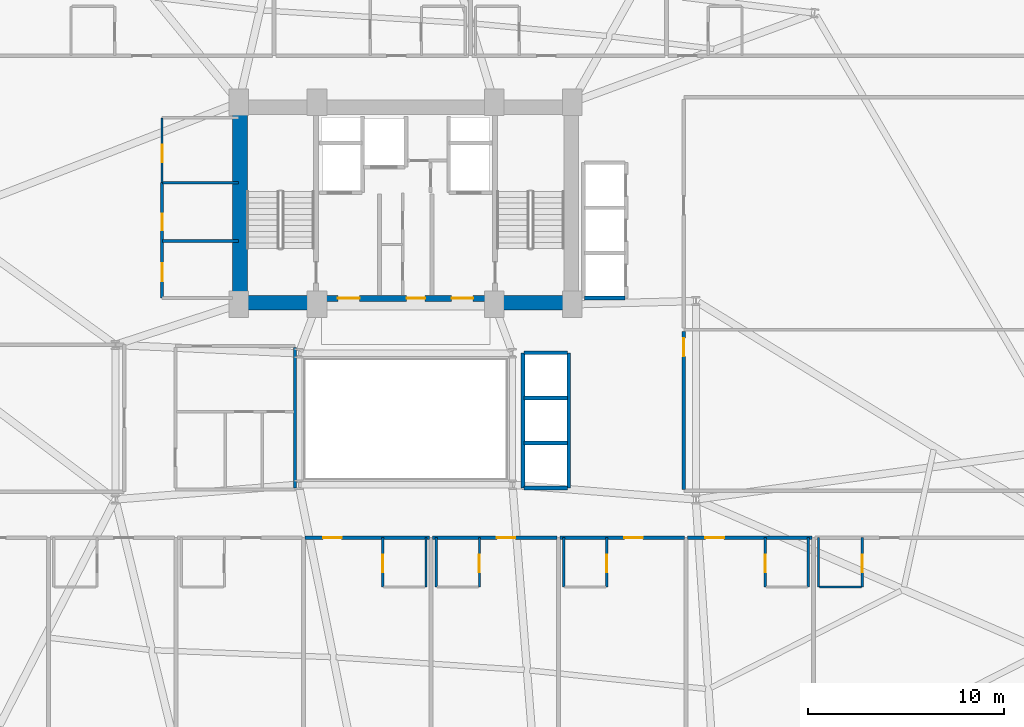
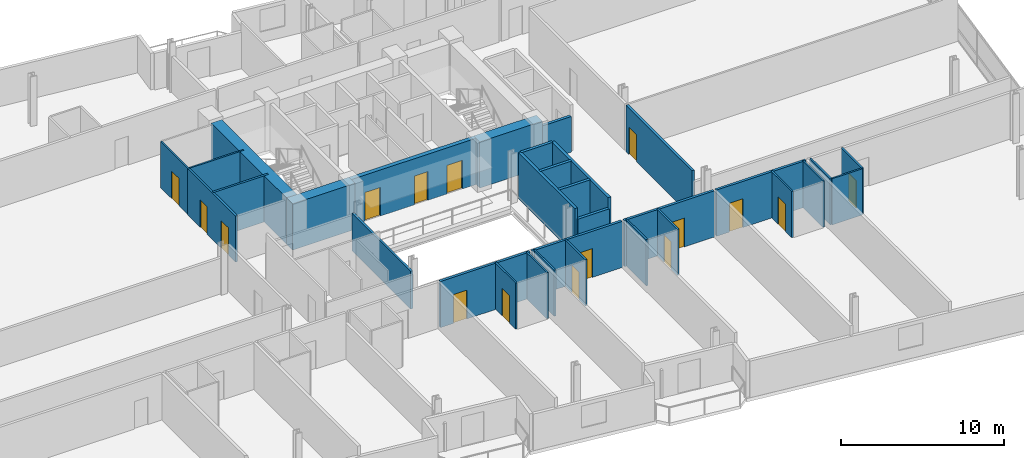
# One storey, part 21 of 26: 32 walls, 16 doors, 16 openings.
"""IFC4 building model written with IfcOpenShell, lengths in metres."""

from ifc_helpers import new_model, si_unit, direction, frame, frame_2d, origin, place, context, subcontext, project, spatial, rectangle, extrude, material, layer, layer_set, type_object, element, fill, save


model = new_model("IFC4")

# Units and contexts
model_context = context("Model", 3, precision=1e-05, world=origin(), true_north=direction((0.0, 1.0)))
body_context = subcontext(model_context, "Body", "Model", "MODEL_VIEW")
ifc_project = project(units=[si_unit("LENGTHUNIT", "METRE"), si_unit("AREAUNIT", "SQUARE_METRE"), si_unit("VOLUMEUNIT", "CUBIC_METRE"), si_unit("PLANEANGLEUNIT", "RADIAN"), si_unit("MASSUNIT", "GRAM", prefix="KILO")], contexts=[model_context])

# Site, building, storey
site_placement = place(None, origin())
site = spatial("IfcSite", under=ifc_project, at=site_placement, CompositionType="ELEMENT")
building_placement = place(site_placement, origin())
building = spatial("IfcBuilding", under=site, at=building_placement, Name="Varnelok Gate Tower", CompositionType="ELEMENT")
storey_placement = place(building_placement, frame((0.0, 0.0, 125.39990234375)))
storey = spatial("IfcBuildingStorey", under=building, at=storey_placement, Name="L31", CompositionType="ELEMENT", Elevation=125.39990234375)

# Wall, opening, door
ifc_material_1 = material(Name="Gypsum Plasterboard Acoustic Partition", Category="gypsum")
ifc_layer_1 = layer(ifc_material_1, 0.179931640625)
ifc_layer_set_1 = layer_set([ifc_layer_1], Name="Gypsum Plasterboard Acoustic Partition")
wall_type_1 = type_object("IfcWallType", Name="PW-CORR-180", PredefinedType="PARTITIONING", material=ifc_layer_set_1)
wall_1_placement = place(storey_placement, frame((34.080078125, 16.85009765625, 0.0), z_axis=(0.0, 0.0, 1.0), x_axis=(1.0, 0.0, 0.0)))
wall_1 = element("IfcWall", 1, at=wall_1_placement, inside=storey, type_object=wall_type_1, Name="Interior Partition", PredefinedType="PARTITIONING", context=body_context, shape_type="SweptSolid", body=[
    extrude(rectangle(XDim=6.33984375, YDim=0.179931640625, at=frame_2d((3.169921875, 0.0))), origin(), (0.0, 0.0, 1.0), 3.4501953125),
])
opening_1_placement = place(wall_1_placement, frame((0.90966796875, 0.0, 0.0)))
opening_1 = element("IfcOpeningElement", 2, at=opening_1_placement, cuts=wall_1, Name="Opening D-HT", PredefinedType="OPENING", context=body_context, shape_type="SweptSolid", body=[
    extrude(rectangle(XDim=0.949951171875, YDim=2.14990234375, at=frame_2d((0.47509765625, 1.074951171875))), frame((0.0, 0.099853515625, 0.0), z_axis=(0.0, -1.0, 0.0), x_axis=(1.0, 0.0, 0.0)), (0.0, 0.0, 1.0), 0.199951171875),
])
ifc_material_2 = material(Name="Engineered Hardwood Timber", Category="wood")
door_type_1 = type_object("IfcDoorType", Name="DR-HTL-950", OperationType="NOTDEFINED", PredefinedType="DOOR", material=ifc_material_2)
door_1_placement = place(opening_1_placement, origin())
door_1 = element("IfcDoor", 3, at=door_1_placement, inside=storey, type_object=door_type_1, Name="L31 Guest Room 05 Entrance Door", OperationType="SINGLE_SWING_RIGHT", OverallHeight=2.14990234375, OverallWidth=0.949951171875, PredefinedType="DOOR", context=body_context, shape_type="SweptSolid", body=[
    extrude(rectangle(XDim=0.949951171875, YDim=2.14990234375, at=frame_2d((0.47509765625, 1.074951171875))), frame((0.0, 0.02490234375, 0.0), z_axis=(0.0, -1.0, 0.0), x_axis=(1.0, 0.0, 0.0)), (0.0, 0.0, 1.0), 0.050048828125),
])
fill(opening_1, door_1)

wall_2_placement = place(storey_placement, frame((40.580078125, 16.85009765625, 0.0), z_axis=(0.0, 0.0, 1.0), x_axis=(1.0, 0.0, 0.0)))
wall_2 = element("IfcWall", 4, at=wall_2_placement, inside=storey, type_object=wall_type_1, Name="Interior Partition", PredefinedType="PARTITIONING", context=body_context, shape_type="SweptSolid", body=[
    extrude(rectangle(XDim=6.33984375, YDim=0.179931640625, at=frame_2d((3.169921875, 0.0))), origin(), (0.0, 0.0, 1.0), 3.4501953125),
])
opening_2_placement = place(wall_2_placement, frame((3.273681640625, 0.0, 0.0)))
opening_2 = element("IfcOpeningElement", 5, at=opening_2_placement, cuts=wall_2, Name="Opening D-HT", PredefinedType="OPENING", context=body_context, shape_type="SweptSolid", body=[
    extrude(rectangle(XDim=0.949951171875, YDim=2.14990234375, at=frame_2d((0.47509765625, 1.074951171875))), frame((0.0, 0.099853515625, 0.0), z_axis=(0.0, -1.0, 0.0), x_axis=(1.0, 0.0, 0.0)), (0.0, 0.0, 1.0), 0.199951171875),
])
door_2_placement = place(opening_2_placement, origin())
door_2 = element("IfcDoor", 6, at=door_2_placement, inside=storey, type_object=door_type_1, Name="L31 Guest Room 06 Entrance Door", OperationType="SINGLE_SWING_LEFT", OverallHeight=2.14990234375, OverallWidth=0.949951171875, PredefinedType="DOOR", context=body_context, shape_type="SweptSolid", body=[
    extrude(rectangle(XDim=0.949951171875, YDim=2.14990234375, at=frame_2d((0.47509765625, 1.074951171875))), frame((0.0, 0.02490234375, 0.0), z_axis=(0.0, -1.0, 0.0), x_axis=(1.0, 0.0, 0.0)), (0.0, 0.0, 1.0), 0.050048828125),
])
fill(opening_2, door_2)

wall_3_placement = place(storey_placement, frame((47.080078125, 16.85009765625, 0.0), z_axis=(0.0, 0.0, 1.0), x_axis=(1.0, 0.0, 0.0)))
wall_3 = element("IfcWall", 7, at=wall_3_placement, inside=storey, type_object=wall_type_1, Name="Interior Partition", PredefinedType="PARTITIONING", context=body_context, shape_type="SweptSolid", body=[
    extrude(rectangle(XDim=6.33984375, YDim=0.179931640625, at=frame_2d((3.169921875, 0.0))), origin(), (0.0, 0.0, 1.0), 3.4501953125),
])
opening_3_placement = place(wall_3_placement, frame((3.273681640625, 0.0, 0.0)))
opening_3 = element("IfcOpeningElement", 8, at=opening_3_placement, cuts=wall_3, Name="Opening D-HT", PredefinedType="OPENING", context=body_context, shape_type="SweptSolid", body=[
    extrude(rectangle(XDim=0.949951171875, YDim=2.14990234375, at=frame_2d((0.47509765625, 1.074951171875))), frame((0.0, 0.099853515625, 0.0), z_axis=(0.0, -1.0, 0.0), x_axis=(1.0, 0.0, 0.0)), (0.0, 0.0, 1.0), 0.199951171875),
])
door_3_placement = place(opening_3_placement, origin())
door_3 = element("IfcDoor", 9, at=door_3_placement, inside=storey, type_object=door_type_1, Name="L31 Guest Room 07 Entrance Door", OperationType="SINGLE_SWING_RIGHT", OverallHeight=2.14990234375, OverallWidth=0.949951171875, PredefinedType="DOOR", context=body_context, shape_type="SweptSolid", body=[
    extrude(rectangle(XDim=0.949951171875, YDim=2.14990234375, at=frame_2d((0.47509765625, 1.074951171875))), frame((0.0, 0.02490234375, 0.0), z_axis=(0.0, -1.0, 0.0), x_axis=(1.0, 0.0, 0.0)), (0.0, 0.0, 1.0), 0.050048828125),
])
fill(opening_3, door_3)

wall_4_placement = place(storey_placement, frame((53.580078125, 16.85009765625, 0.0), z_axis=(0.0, 0.0, 1.0), x_axis=(1.0, 0.0, 0.0)))
wall_4 = element("IfcWall", 10, at=wall_4_placement, inside=storey, type_object=wall_type_1, Name="Interior Partition", PredefinedType="PARTITIONING", context=body_context, shape_type="SweptSolid", body=[
    extrude(rectangle(XDim=6.33984375, YDim=0.179931640625, at=frame_2d((3.169921875, 0.0))), origin(), (0.0, 0.0, 1.0), 3.4501953125),
])
opening_4_placement = place(wall_4_placement, frame((0.90966796875, 0.0, 0.0)))
opening_4 = element("IfcOpeningElement", 11, at=opening_4_placement, cuts=wall_4, Name="Opening D-HT", PredefinedType="OPENING", context=body_context, shape_type="SweptSolid", body=[
    extrude(rectangle(XDim=0.949951171875, YDim=2.14990234375, at=frame_2d((0.47509765625, 1.074951171875))), frame((0.0, 0.099853515625, 0.0), z_axis=(0.0, -1.0, 0.0), x_axis=(1.0, 0.0, 0.0)), (0.0, 0.0, 1.0), 0.199951171875),
])
door_4_placement = place(opening_4_placement, origin())
door_4 = element("IfcDoor", 12, at=door_4_placement, inside=storey, type_object=door_type_1, Name="L31 Guest Room 08 Entrance Door", OperationType="SINGLE_SWING_LEFT", OverallHeight=2.14990234375, OverallWidth=0.949951171875, PredefinedType="DOOR", context=body_context, shape_type="SweptSolid", body=[
    extrude(rectangle(XDim=0.949951171875, YDim=2.14990234375, at=frame_2d((0.47509765625, 1.074951171875))), frame((0.0, 0.02490234375, 0.0), z_axis=(0.0, -1.0, 0.0), x_axis=(1.0, 0.0, 0.0)), (0.0, 0.0, 1.0), 0.050048828125),
])
fill(opening_4, door_4)

wall_5_placement = place(storey_placement, frame((53.389892578125, 19.300048828125, 0.0), z_axis=(0.0, 0.0, 1.0), x_axis=(0.0, 1.0, 0.0)))
wall_5 = element("IfcWall", 13, at=wall_5_placement, inside=storey, type_object=wall_type_1, Name="Interior Partition", PredefinedType="PARTITIONING", context=body_context, shape_type="SweptSolid", body=[
    extrude(rectangle(XDim=8.070068359375, YDim=0.179931640625, at=frame_2d((4.03515625, 0.0))), origin(), (0.0, 0.0, 1.0), 3.4501953125),
])
opening_5_placement = place(wall_5_placement, frame((6.800048828125, 0.0, 0.0)))
opening_5 = element("IfcOpeningElement", 14, at=opening_5_placement, cuts=wall_5, Name="Opening D-I3", PredefinedType="OPENING", context=body_context, shape_type="SweptSolid", body=[
    extrude(rectangle(XDim=0.919921875, YDim=2.050048828125, at=frame_2d((0.4599609375, 1.02490234375))), frame((0.0, 0.099853515625, 0.0), z_axis=(0.0, -1.0, 0.0), x_axis=(1.0, 0.0, 0.0)), (0.0, 0.0, 1.0), 0.199951171875),
])
door_type_2 = type_object("IfcDoorType", Name="DR-INT-920", OperationType="NOTDEFINED", PredefinedType="DOOR", material=ifc_material_2)
door_5_placement = place(opening_5_placement, origin())
door_5 = element("IfcDoor", 15, at=door_5_placement, inside=storey, type_object=door_type_2, Name="L31 East Suite 1 Door", OperationType="SINGLE_SWING_LEFT", OverallHeight=2.050048828125, OverallWidth=0.919921875, PredefinedType="DOOR", context=body_context, shape_type="SweptSolid", body=[
    extrude(rectangle(XDim=0.919921875, YDim=2.050048828125, at=frame_2d((0.4599609375, 1.02490234375))), frame((0.0, 0.02490234375, 0.0), z_axis=(0.0, -1.0, 0.0), x_axis=(1.0, 0.0, 0.0)), (0.0, 0.0, 1.0), 0.050048828125),
])
fill(opening_5, door_5)

ifc_layer_2 = layer(ifc_material_1, 0.114990234375)
ifc_layer_set_2 = layer_set([ifc_layer_2], Name="Gypsum Plasterboard Acoustic Partition")
wall_type_2 = type_object("IfcWallType", Name="PW-ENS-125", PredefinedType="PARTITIONING", material=ifc_layer_set_2)
wall_6_placement = place(storey_placement, frame((38.035888671875, 14.330078125, 0.0), z_axis=(0.0, 0.0, 1.0), x_axis=(0.0, 1.0, 0.0)))
wall_6 = element("IfcWall", 16, at=wall_6_placement, inside=storey, type_object=wall_type_2, Name="Interior Partition", PredefinedType="PARTITIONING", context=body_context, shape_type="SweptSolid", body=[
    extrude(rectangle(XDim=2.52001953125, YDim=0.114990234375, at=frame_2d((1.260009765625, 0.0))), origin(), (0.0, 0.0, 1.0), 3.4501953125),
])
opening_6_placement = place(wall_6_placement, frame((0.760009765625, 0.0, 0.0)))
opening_6 = element("IfcOpeningElement", 17, at=opening_6_placement, cuts=wall_6, Name="Opening D-WC", PredefinedType="OPENING", context=body_context, shape_type="SweptSolid", body=[
    extrude(rectangle(XDim=0.89990234375, YDim=2.050048828125, at=frame_2d((0.449951171875, 1.02490234375))), frame((0.0, 0.0673828125, 0.0), z_axis=(0.0, -1.0, 0.0), x_axis=(1.0, 0.0, 0.0)), (0.0, 0.0, 1.0), 0.135009765625),
])
door_type_3 = type_object("IfcDoorType", Name="DR-BATH-900", OperationType="NOTDEFINED", PredefinedType="DOOR", material=ifc_material_2)
door_6_placement = place(opening_6_placement, origin())
door_6 = element("IfcDoor", 18, at=door_6_placement, inside=storey, type_object=door_type_3, Name="L31 Guest En-Suite 05 Door", OperationType="SINGLE_SWING_RIGHT", OverallHeight=2.050048828125, OverallWidth=0.89990234375, PredefinedType="DOOR", context=body_context, shape_type="SweptSolid", body=[
    extrude(rectangle(XDim=0.89990234375, YDim=2.050048828125, at=frame_2d((0.449951171875, 1.02490234375))), frame((0.0, 0.02490234375, 0.0), z_axis=(0.0, -1.0, 0.0), x_axis=(1.0, 0.0, 0.0)), (0.0, 0.0, 1.0), 0.050048828125),
])
fill(opening_6, door_6)

# Wall
wall_7_placement = place(storey_placement, frame((40.239990234375, 14.330078125, 0.0), z_axis=(0.0, 0.0, 1.0), x_axis=(0.0, 1.0, 0.0)))
element("IfcWall", 19, at=wall_7_placement, inside=storey, type_object=wall_type_2, Name="Interior Partition", PredefinedType="PARTITIONING", context=body_context, shape_type="SweptSolid", body=[
    extrude(rectangle(XDim=2.52001953125, YDim=0.114990234375, at=frame_2d((1.260009765625, 0.0))), origin(), (0.0, 0.0, 1.0), 3.4501953125),
])

# Wall, opening, door
wall_8_placement = place(storey_placement, frame((42.964111328125, 14.330078125, 0.0), z_axis=(0.0, 0.0, 1.0), x_axis=(0.0, 1.0, 0.0)))
wall_8 = element("IfcWall", 20, at=wall_8_placement, inside=storey, type_object=wall_type_2, Name="Interior Partition", PredefinedType="PARTITIONING", context=body_context, shape_type="SweptSolid", body=[
    extrude(rectangle(XDim=2.52001953125, YDim=0.114990234375, at=frame_2d((1.260009765625, 0.0))), origin(), (0.0, 0.0, 1.0), 3.4501953125),
])
opening_7_placement = place(wall_8_placement, frame((0.760009765625, 0.0, 0.0)))
opening_7 = element("IfcOpeningElement", 21, at=opening_7_placement, cuts=wall_8, Name="Opening D-WC", PredefinedType="OPENING", context=body_context, shape_type="SweptSolid", body=[
    extrude(rectangle(XDim=0.89990234375, YDim=2.050048828125, at=frame_2d((0.449951171875, 1.02490234375))), frame((0.0, 0.0673828125, 0.0), z_axis=(0.0, -1.0, 0.0), x_axis=(1.0, 0.0, 0.0)), (0.0, 0.0, 1.0), 0.135009765625),
])
door_7_placement = place(opening_7_placement, origin())
door_7 = element("IfcDoor", 22, at=door_7_placement, inside=storey, type_object=door_type_3, Name="L31 Guest En-Suite 06 Door", OperationType="SINGLE_SWING_LEFT", OverallHeight=2.050048828125, OverallWidth=0.89990234375, PredefinedType="DOOR", context=body_context, shape_type="SweptSolid", body=[
    extrude(rectangle(XDim=0.89990234375, YDim=2.050048828125, at=frame_2d((0.449951171875, 1.02490234375))), frame((0.0, 0.02490234375, 0.0), z_axis=(0.0, -1.0, 0.0), x_axis=(1.0, 0.0, 0.0)), (0.0, 0.0, 1.0), 0.050048828125),
])
fill(opening_7, door_7)

# Wall
wall_9_placement = place(storey_placement, frame((40.760009765625, 14.330078125, 0.0), z_axis=(0.0, 0.0, 1.0), x_axis=(0.0, 1.0, 0.0)))
element("IfcWall", 23, at=wall_9_placement, inside=storey, type_object=wall_type_2, Name="Interior Partition", PredefinedType="PARTITIONING", context=body_context, shape_type="SweptSolid", body=[
    extrude(rectangle(XDim=2.52001953125, YDim=0.114990234375, at=frame_2d((1.260009765625, 0.0))), origin(), (0.0, 0.0, 1.0), 3.4501953125),
])

# Wall, opening, door
wall_10_placement = place(storey_placement, frame((49.464111328125, 14.330078125, 0.0), z_axis=(0.0, 0.0, 1.0), x_axis=(0.0, 1.0, 0.0)))
wall_10 = element("IfcWall", 24, at=wall_10_placement, inside=storey, type_object=wall_type_2, Name="Interior Partition", PredefinedType="PARTITIONING", context=body_context, shape_type="SweptSolid", body=[
    extrude(rectangle(XDim=2.52001953125, YDim=0.114990234375, at=frame_2d((1.260009765625, 0.0))), origin(), (0.0, 0.0, 1.0), 3.4501953125),
])
opening_8_placement = place(wall_10_placement, frame((0.760009765625, 0.0, 0.0)))
opening_8 = element("IfcOpeningElement", 25, at=opening_8_placement, cuts=wall_10, Name="Opening D-WC", PredefinedType="OPENING", context=body_context, shape_type="SweptSolid", body=[
    extrude(rectangle(XDim=0.89990234375, YDim=2.050048828125, at=frame_2d((0.449951171875, 1.02490234375))), frame((0.0, 0.0673828125, 0.0), z_axis=(0.0, -1.0, 0.0), x_axis=(1.0, 0.0, 0.0)), (0.0, 0.0, 1.0), 0.135009765625),
])
door_8_placement = place(opening_8_placement, origin())
door_8 = element("IfcDoor", 26, at=door_8_placement, inside=storey, type_object=door_type_3, Name="L31 Guest En-Suite 07 Door", OperationType="SINGLE_SWING_LEFT", OverallHeight=2.050048828125, OverallWidth=0.89990234375, PredefinedType="DOOR", context=body_context, shape_type="SweptSolid", body=[
    extrude(rectangle(XDim=0.89990234375, YDim=2.050048828125, at=frame_2d((0.449951171875, 1.02490234375))), frame((0.0, 0.02490234375, 0.0), z_axis=(0.0, -1.0, 0.0), x_axis=(1.0, 0.0, 0.0)), (0.0, 0.0, 1.0), 0.050048828125),
])
fill(opening_8, door_8)

# Wall
wall_11_placement = place(storey_placement, frame((47.260009765625, 14.330078125, 0.0), z_axis=(0.0, 0.0, 1.0), x_axis=(0.0, 1.0, 0.0)))
element("IfcWall", 27, at=wall_11_placement, inside=storey, type_object=wall_type_2, Name="Interior Partition", PredefinedType="PARTITIONING", context=body_context, shape_type="SweptSolid", body=[
    extrude(rectangle(XDim=2.52001953125, YDim=0.114990234375, at=frame_2d((1.260009765625, 0.0))), origin(), (0.0, 0.0, 1.0), 3.4501953125),
])

# Wall, opening, door
wall_12_placement = place(storey_placement, frame((57.535888671875, 14.330078125, 0.0), z_axis=(0.0, 0.0, 1.0), x_axis=(0.0, 1.0, 0.0)))
wall_12 = element("IfcWall", 28, at=wall_12_placement, inside=storey, type_object=wall_type_2, Name="Interior Partition", PredefinedType="PARTITIONING", context=body_context, shape_type="SweptSolid", body=[
    extrude(rectangle(XDim=2.52001953125, YDim=0.114990234375, at=frame_2d((1.260009765625, 0.0))), origin(), (0.0, 0.0, 1.0), 3.4501953125),
])
opening_9_placement = place(wall_12_placement, frame((0.760009765625, 0.0, 0.0)))
opening_9 = element("IfcOpeningElement", 29, at=opening_9_placement, cuts=wall_12, Name="Opening D-WC", PredefinedType="OPENING", context=body_context, shape_type="SweptSolid", body=[
    extrude(rectangle(XDim=0.89990234375, YDim=2.050048828125, at=frame_2d((0.449951171875, 1.02490234375))), frame((0.0, 0.0673828125, 0.0), z_axis=(0.0, -1.0, 0.0), x_axis=(1.0, 0.0, 0.0)), (0.0, 0.0, 1.0), 0.135009765625),
])
door_9_placement = place(opening_9_placement, origin())
door_9 = element("IfcDoor", 30, at=door_9_placement, inside=storey, type_object=door_type_3, Name="L31 Guest En-Suite 08 Door", OperationType="SINGLE_SWING_RIGHT", OverallHeight=2.050048828125, OverallWidth=0.89990234375, PredefinedType="DOOR", context=body_context, shape_type="SweptSolid", body=[
    extrude(rectangle(XDim=0.89990234375, YDim=2.050048828125, at=frame_2d((0.449951171875, 1.02490234375))), frame((0.0, 0.02490234375, 0.0), z_axis=(0.0, -1.0, 0.0), x_axis=(1.0, 0.0, 0.0)), (0.0, 0.0, 1.0), 0.050048828125),
])
fill(opening_9, door_9)

# Walls
wall_13_placement = place(storey_placement, frame((59.739990234375, 14.330078125, 0.0), z_axis=(0.0, 0.0, 1.0), x_axis=(0.0, 1.0, 0.0)))
element("IfcWall", 31, at=wall_13_placement, inside=storey, type_object=wall_type_2, Name="Interior Partition", PredefinedType="PARTITIONING", context=body_context, shape_type="SweptSolid", body=[
    extrude(rectangle(XDim=2.52001953125, YDim=0.114990234375, at=frame_2d((1.260009765625, 0.0))), origin(), (0.0, 0.0, 1.0), 3.4501953125),
])
wall_14_placement = place(storey_placement, frame((60.300048828125, 14.330078125, 0.0), z_axis=(0.0, 0.0, 1.0), x_axis=(1.0, 0.0, 0.0)))
element("IfcWall", 32, at=wall_14_placement, inside=storey, type_object=wall_type_2, Name="Interior Partition", PredefinedType="PARTITIONING", context=body_context, shape_type="SweptSolid", body=[
    extrude(rectangle(XDim=2.14990234375, YDim=0.114990234375, at=frame_2d((1.074951171875, 0.0))), origin(), (0.0, 0.0, 1.0), 3.4501953125),
])

# Wall, opening, door
wall_15_placement = place(storey_placement, frame((62.489990234375, 14.330078125, 0.0), z_axis=(0.0, 0.0, 1.0), x_axis=(0.0, 1.0, 0.0)))
wall_15 = element("IfcWall", 33, at=wall_15_placement, inside=storey, type_object=wall_type_2, Name="Interior Partition", PredefinedType="PARTITIONING", context=body_context, shape_type="SweptSolid", body=[
    extrude(rectangle(XDim=2.52001953125, YDim=0.114990234375, at=frame_2d((1.260009765625, 0.0))), origin(), (0.0, 0.0, 1.0), 3.4501953125),
])
opening_10_placement = place(wall_15_placement, frame((0.760009765625, 0.0, 0.0)))
opening_10 = element("IfcOpeningElement", 34, at=opening_10_placement, cuts=wall_15, Name="Opening D-WC", PredefinedType="OPENING", context=body_context, shape_type="SweptSolid", body=[
    extrude(rectangle(XDim=0.89990234375, YDim=2.050048828125, at=frame_2d((0.449951171875, 1.02490234375))), frame((0.0, 0.0673828125, 0.0), z_axis=(0.0, -1.0, 0.0), x_axis=(1.0, 0.0, 0.0)), (0.0, 0.0, 1.0), 0.135009765625),
])
door_10_placement = place(opening_10_placement, origin())
door_10 = element("IfcDoor", 35, at=door_10_placement, inside=storey, type_object=door_type_3, Name="L31 Guest En-Suite 09 Door", OperationType="SINGLE_SWING_LEFT", OverallHeight=2.050048828125, OverallWidth=0.89990234375, PredefinedType="DOOR", context=body_context, shape_type="SweptSolid", body=[
    extrude(rectangle(XDim=0.89990234375, YDim=2.050048828125, at=frame_2d((0.449951171875, 1.02490234375))), frame((0.0, 0.02490234375, 0.0), z_axis=(0.0, -1.0, 0.0), x_axis=(1.0, 0.0, 0.0)), (0.0, 0.0, 1.0), 0.050048828125),
])
fill(opening_10, door_10)

# Walls
wall_16_placement = place(storey_placement, frame((60.260009765625, 14.330078125, 0.0), z_axis=(0.0, 0.0, 1.0), x_axis=(0.0, 1.0, 0.0)))
element("IfcWall", 36, at=wall_16_placement, inside=storey, type_object=wall_type_2, Name="Interior Partition", PredefinedType="PARTITIONING", context=body_context, shape_type="SweptSolid", body=[
    extrude(rectangle(XDim=2.52001953125, YDim=0.114990234375, at=frame_2d((1.260009765625, 0.0))), origin(), (0.0, 0.0, 1.0), 3.4501953125),
])
wall_17_placement = place(storey_placement, frame((26.800048828125, 34.949951171875, 0.0), z_axis=(0.0, 0.0, 1.0), x_axis=(1.0, 0.0, 0.0)))
element("IfcWall", 37, at=wall_17_placement, inside=storey, type_object=wall_type_2, Name="Interior Partition", PredefinedType="PARTITIONING", context=body_context, shape_type="SweptSolid", body=[
    extrude(rectangle(XDim=3.8798828125, YDim=0.114990234375, at=frame_2d((1.93994140625, 0.0))), origin(), (0.0, 0.0, 1.0), 3.4501953125),
])

# Wall, opening, door
wall_18_placement = place(storey_placement, frame((26.780029296875, 34.949951171875, 0.0), z_axis=(0.0, 0.0, 1.0), x_axis=(0.0, 1.0, 0.0)))
wall_18 = element("IfcWall", 38, at=wall_18_placement, inside=storey, type_object=wall_type_2, Name="Interior Partition", PredefinedType="PARTITIONING", context=body_context, shape_type="SweptSolid", body=[
    extrude(rectangle(XDim=3.31005859375, YDim=0.114990234375, at=frame_2d((1.655029296875, 0.0))), origin(), (0.0, 0.0, 1.0), 3.4501953125),
])
opening_11_placement = place(wall_18_placement, frame((1.050048828125, 0.0, 0.0)))
opening_11 = element("IfcOpeningElement", 39, at=opening_11_placement, cuts=wall_18, Name="Opening D-WC", PredefinedType="OPENING", context=body_context, shape_type="SweptSolid", body=[
    extrude(rectangle(XDim=0.89990234375, YDim=2.050048828125, at=frame_2d((0.449951171875, 1.02490234375))), frame((0.0, 0.0673828125, 0.0), z_axis=(0.0, -1.0, 0.0), x_axis=(1.0, 0.0, 0.0)), (0.0, 0.0, 1.0), 0.135009765625),
])
door_11_placement = place(opening_11_placement, origin())
door_11 = element("IfcDoor", 40, at=door_11_placement, inside=storey, type_object=door_type_3, Name="L31 Core Staff WC Door", OperationType="SINGLE_SWING_LEFT", OverallHeight=2.050048828125, OverallWidth=0.89990234375, PredefinedType="DOOR", context=body_context, shape_type="SweptSolid", body=[
    extrude(rectangle(XDim=0.89990234375, YDim=2.050048828125, at=frame_2d((0.449951171875, 1.02490234375))), frame((0.0, 0.02490234375, 0.0), z_axis=(0.0, -1.0, 0.0), x_axis=(1.0, 0.0, 0.0)), (0.0, 0.0, 1.0), 0.050048828125),
])
fill(opening_11, door_11)

# Walls
ifc_layer_3 = layer(ifc_material_1, 0.14990234375)
ifc_layer_set_3 = layer_set([ifc_layer_3], Name="Gypsum Plasterboard Acoustic Partition")
wall_type_3 = type_object("IfcWallType", Name="PW-PART-150", PredefinedType="PARTITIONING", material=ifc_layer_set_3)
wall_19_placement = place(storey_placement, frame((33.56005859375, 19.3798828125, 0.0), z_axis=(0.0, 0.0, 1.0), x_axis=(0.0, 1.0, 0.0)))
element("IfcWall", 41, at=wall_19_placement, inside=storey, type_object=wall_type_3, Name="Interior Partition", PredefinedType="PARTITIONING", context=body_context, shape_type="SweptSolid", body=[
    extrude(rectangle(XDim=7.16015625, YDim=0.14990234375, at=frame_2d((3.580078125, 0.0))), origin(), (0.0, 0.0, 1.0), 2.82421875),
])
wall_20_placement = place(storey_placement, frame((26.800048828125, 31.989990234375, 0.0), z_axis=(0.0, 0.0, 1.0), x_axis=(1.0, 0.0, 0.0)))
element("IfcWall", 42, at=wall_20_placement, inside=storey, type_object=wall_type_3, Name="Interior Partition", PredefinedType="PARTITIONING", context=body_context, shape_type="SweptSolid", body=[
    extrude(rectangle(XDim=3.8798828125, YDim=0.14990234375, at=frame_2d((1.93994140625, 0.0))), origin(), (0.0, 0.0, 1.0), 3.4501953125),
])

# Wall, openings, doors
wall_21_placement = place(storey_placement, frame((26.780029296875, 29.080078125, 0.0), z_axis=(0.0, 0.0, 1.0), x_axis=(0.0, 1.0, 0.0)))
wall_21 = element("IfcWall", 43, at=wall_21_placement, inside=storey, type_object=wall_type_3, Name="Interior Partition", PredefinedType="PARTITIONING", context=body_context, shape_type="SweptSolid", body=[
    extrude(rectangle(XDim=5.869873046875, YDim=0.14990234375, at=frame_2d((2.93505859375, 0.0))), origin(), (0.0, 0.0, 1.0), 3.4501953125),
])
opening_12_placement = place(wall_21_placement, frame((0.85009765625, 0.0, 0.0)))
opening_12 = element("IfcOpeningElement", 44, at=opening_12_placement, cuts=wall_21, Name="Opening D-I3", PredefinedType="OPENING", context=body_context, shape_type="SweptSolid", body=[
    extrude(rectangle(XDim=0.919921875, YDim=2.050048828125, at=frame_2d((0.4599609375, 1.02490234375))), frame((0.0, 0.0849609375, 0.0), z_axis=(0.0, -1.0, 0.0), x_axis=(1.0, 0.0, 0.0)), (0.0, 0.0, 1.0), 0.169921875),
])
opening_13_placement = place(wall_21_placement, frame((3.449951171875, 0.0, 0.0)))
opening_13 = element("IfcOpeningElement", 45, at=opening_13_placement, cuts=wall_21, Name="Opening D-RS", PredefinedType="OPENING", context=body_context, shape_type="SweptSolid", body=[
    extrude(rectangle(XDim=0.85009765625, YDim=2.050048828125, at=frame_2d((0.425048828125, 1.02490234375))), frame((0.0, 0.0849609375, 0.0), z_axis=(0.0, -1.0, 0.0), x_axis=(1.0, 0.0, 0.0)), (0.0, 0.0, 1.0), 0.169921875),
])
door_12_placement = place(opening_12_placement, origin())
door_12 = element("IfcDoor", 46, at=door_12_placement, inside=storey, type_object=door_type_2, Name="L31 Core Linen Door", OperationType="SINGLE_SWING_LEFT", OverallHeight=2.050048828125, OverallWidth=0.919921875, PredefinedType="DOOR", context=body_context, shape_type="SweptSolid", body=[
    extrude(rectangle(XDim=0.919921875, YDim=2.050048828125, at=frame_2d((0.4599609375, 1.02490234375))), frame((0.0, 0.02490234375, 0.0), z_axis=(0.0, -1.0, 0.0), x_axis=(1.0, 0.0, 0.0)), (0.0, 0.0, 1.0), 0.050048828125),
])
fill(opening_12, door_12)
ifc_material_3 = material(Name="Galvanized Steel Grade S350GD", Category="steel")
door_type_4 = type_object("IfcDoorType", Name="DR-RISER-850", OperationType="NOTDEFINED", PredefinedType="DOOR", material=ifc_material_3)
door_13_placement = place(opening_13_placement, origin())
door_13 = element("IfcDoor", 47, at=door_13_placement, inside=storey, type_object=door_type_4, Name="L31 Core Janitor Door", OperationType="SINGLE_SWING_RIGHT", OverallHeight=2.050048828125, OverallWidth=0.85009765625, PredefinedType="DOOR", context=body_context, shape_type="SweptSolid", body=[
    extrude(rectangle(XDim=0.85009765625, YDim=2.050048828125, at=frame_2d((0.425048828125, 1.02490234375))), frame((0.0, 0.02490234375, 0.0), z_axis=(0.0, -1.0, 0.0), x_axis=(1.0, 0.0, 0.0)), (0.0, 0.0, 1.0), 0.050048828125),
])
fill(opening_13, door_13)

# Walls
ifc_material_4 = material(Name="Concrete C35/45", Category="concrete")
ifc_layer_4 = layer(ifc_material_4, 0.199951171875)
ifc_layer_set_4 = layer_set([ifc_layer_4], Name="Concrete C35/45")
wall_type_4 = type_object("IfcWallType", Name="PW-SHAFT-200", PredefinedType="PARTITIONING", material=ifc_layer_set_4)
wall_22_placement = place(storey_placement, frame((48.320068359375, 29.080078125, 0.0), z_axis=(0.0, 0.0, 1.0), x_axis=(1.0, 0.0, 0.0)))
element("IfcWall", 48, at=wall_22_placement, inside=storey, type_object=wall_type_4, Name="L31 PM Bank South Wall", PredefinedType="PARTITIONING", context=body_context, shape_type="SweptSolid", body=[
    extrude(rectangle(XDim=2.059814453125, YDim=0.199951171875, at=frame_2d((1.02978515625, 0.0))), origin(), (0.0, 0.0, 1.0), 2.662109375),
])
for number, where, z_axis, x_axis, name in (
    (49, (45.239990234375, 21.675048828125, 0.0), (0.0, 0.0, 1.0), (1.0, 0.0, 0.0), "L31 PH1 Divider"),
    (50, (45.239990234375, 23.97509765625, 0.0), (0.0, 0.0, 1.0), (1.0, 0.0, 0.0), "L31 PH2 Divider"),
):
    element("IfcWall", number, at=place(storey_placement, frame(where, z_axis=z_axis, x_axis=x_axis)), inside=storey, type_object=wall_type_4, Name=name, PredefinedType="PARTITIONING", context=body_context, shape_type="SweptSolid", body=[
        extrude(rectangle(XDim=2.219970703125, YDim=0.199951171875, at=frame_2d((1.10986328125, 0.0))), origin(), (0.0, 0.0, 1.0), 3.4501953125),
    ])
wall_23_placement = place(storey_placement, frame((45.239990234375, 19.3798828125, 0.0), z_axis=(0.0, 0.0, 1.0), x_axis=(1.0, 0.0, 0.0)))
element("IfcWall", 51, at=wall_23_placement, inside=storey, type_object=wall_type_4, Name="L31 PH Bank South Wall", PredefinedType="PARTITIONING", context=body_context, shape_type="SweptSolid", body=[
    extrude(rectangle(XDim=2.219970703125, YDim=0.199951171875, at=frame_2d((1.10986328125, 0.0))), origin(), (0.0, 0.0, 1.0), 2.662109375),
])
wall_24_placement = place(storey_placement, frame((45.239990234375, 26.280029296875, 0.0), z_axis=(0.0, 0.0, 1.0), x_axis=(1.0, 0.0, 0.0)))
element("IfcWall", 52, at=wall_24_placement, inside=storey, type_object=wall_type_4, Name="L31 PH Bank North Wall", PredefinedType="PARTITIONING", context=body_context, shape_type="SweptSolid", body=[
    extrude(rectangle(XDim=2.219970703125, YDim=0.199951171875, at=frame_2d((1.10986328125, 0.0))), origin(), (0.0, 0.0, 1.0), 3.4501953125),
])
for number, where, z_axis, x_axis, name in (
    (53, (45.179931640625, 19.3798828125, 0.0), (0.0, 0.0, 1.0), (0.0, 1.0, 0.0), "L31 PH Bank Atrium Wall"),
    (54, (47.52001953125, 19.3798828125, 0.0), (0.0, 0.0, 1.0), (0.0, 1.0, 0.0), "L31 PH Bank Front Wall"),
):
    element("IfcWall", number, at=place(storey_placement, frame(where, z_axis=z_axis, x_axis=x_axis)), inside=storey, type_object=wall_type_4, Name=name, PredefinedType="PARTITIONING", context=body_context, shape_type="SweptSolid", body=[
        extrude(rectangle(XDim=6.900146484375, YDim=0.199951171875, at=frame_2d((3.4501953125, 0.0))), origin(), (0.0, 0.0, 1.0), 3.4501953125),
    ])
ifc_material_5 = material(Name="Concrete C70/85", Category="concrete")
ifc_layer_5 = layer(ifc_material_5, 0.75)
ifc_layer_set_5 = layer_set([ifc_layer_5], Name="Concrete C70/85")
wall_type_5 = type_object("IfcWallType", Name="SW-CORE-750", PredefinedType="SHEAR", material=ifc_layer_set_5)
wall_25_placement = place(storey_placement, frame((30.7548828125, 29.199951171875, 0.0), z_axis=(0.0, 0.0, 1.0), x_axis=(0.0, 1.0, 0.0)))
element("IfcWall", 55, at=wall_25_placement, inside=storey, type_object=wall_type_5, Name="L31 Rear Core West Shear Wall", PredefinedType="SHEAR", context=body_context, shape_type="SweptSolid", body=[
    extrude(rectangle(XDim=9.219970703125, YDim=0.75, at=frame_2d((4.60986328125, 0.0))), origin(), (0.0, 0.0, 1.0), 3.4501953125),
])
wall_26_placement = place(storey_placement, frame((30.3798828125, 28.824951171875, 0.0), z_axis=(0.0, 0.0, 1.0), x_axis=(1.0, 0.0, 0.0)))
element("IfcWall", 56, at=wall_26_placement, inside=storey, type_object=wall_type_5, Name="L31 Rear Core South-West Shear Wall", PredefinedType="SHEAR", context=body_context, shape_type="SweptSolid", body=[
    extrude(rectangle(XDim=4.420166015625, YDim=0.75, at=frame_2d((2.2099609375, 0.0))), origin(), (0.0, 0.0, 1.0), 3.4501953125),
])
wall_27_placement = place(storey_placement, frame((43.60009765625, 28.824951171875, 0.0), z_axis=(0.0, 0.0, 1.0), x_axis=(1.0, 0.0, 0.0)))
element("IfcWall", 57, at=wall_27_placement, inside=storey, type_object=wall_type_5, Name="L31 Rear Core South-East Shear Wall", PredefinedType="SHEAR", context=body_context, shape_type="SweptSolid", body=[
    extrude(rectangle(XDim=4.419921875, YDim=0.75, at=frame_2d((2.2099609375, 0.0))), origin(), (0.0, 0.0, 1.0), 3.4501953125),
])

# Wall, openings, doors
ifc_material_6 = material(Name="Concrete C60/75", Category="concrete")
ifc_layer_6 = layer(ifc_material_6, 0.300048828125)
ifc_layer_set_6 = layer_set([ifc_layer_6], Name="Concrete C60/75")
wall_type_6 = type_object("IfcWallType", Name="SW-SHAFT-300", PredefinedType="SHEAR", material=ifc_layer_set_6)
wall_28_placement = place(storey_placement, frame((34.800048828125, 29.050048828125, 0.0), z_axis=(0.0, 0.0, 1.0), x_axis=(1.0, 0.0, 0.0)))
wall_28 = element("IfcWall", 58, at=wall_28_placement, inside=storey, type_object=wall_type_6, Name="L31 Rear Core Central Lobby Shear Wall", PredefinedType="SHEAR", context=body_context, shape_type="SweptSolid", body=[
    extrude(rectangle(XDim=8.800048828125, YDim=0.300048828125, at=frame_2d((4.39990234375, 0.0))), origin(), (0.0, 0.0, 1.0), 3.4501953125),
])
opening_14_placement = place(wall_28_placement, frame((0.949951171875, 0.0, 0.0)))
opening_14 = element("IfcOpeningElement", 59, at=opening_14_placement, cuts=wall_28, Name="Opening D-FF", PredefinedType="OPENING", context=body_context, shape_type="SweptSolid", body=[
    extrude(rectangle(XDim=1.10009765625, YDim=2.14990234375, at=frame_2d((0.550048828125, 1.074951171875))), frame((0.0, 0.159912109375, 0.0), z_axis=(0.0, -1.0, 0.0), x_axis=(1.0, 0.0, 0.0)), (0.0, 0.0, 1.0), 0.320068359375),
])
opening_15_placement = place(wall_28_placement, frame((6.75, 0.0, 0.0)))
opening_15 = element("IfcOpeningElement", 60, at=opening_15_placement, cuts=wall_28, Name="Opening D-FF", PredefinedType="OPENING", context=body_context, shape_type="SweptSolid", body=[
    extrude(rectangle(XDim=1.10009765625, YDim=2.14990234375, at=frame_2d((0.550048828125, 1.074951171875))), frame((0.0, 0.159912109375, 0.0), z_axis=(0.0, -1.0, 0.0), x_axis=(1.0, 0.0, 0.0)), (0.0, 0.0, 1.0), 0.320068359375),
])
opening_16_placement = place(wall_28_placement, frame((4.449951171875, 0.0, 0.0)))
opening_16 = element("IfcOpeningElement", 61, at=opening_16_placement, cuts=wall_28, Name="Opening D-CR", PredefinedType="OPENING", context=body_context, shape_type="SweptSolid", body=[
    extrude(rectangle(XDim=0.949951171875, YDim=2.14990234375, at=frame_2d((0.47509765625, 1.074951171875))), frame((0.0, 0.159912109375, 0.0), z_axis=(0.0, -1.0, 0.0), x_axis=(1.0, 0.0, 0.0)), (0.0, 0.0, 1.0), 0.320068359375),
])
door_type_5 = type_object("IfcDoorType", Name="DR-CORR-950", OperationType="NOTDEFINED", PredefinedType="DOOR", material=ifc_material_3)
door_14_placement = place(opening_16_placement, origin())
door_14 = element("IfcDoor", 62, at=door_14_placement, inside=storey, type_object=door_type_5, Name="L31 Core Service Passage Door", OperationType="SINGLE_SWING_LEFT", OverallHeight=2.14990234375, OverallWidth=0.949951171875, PredefinedType="DOOR", context=body_context, shape_type="SweptSolid", body=[
    extrude(rectangle(XDim=0.949951171875, YDim=2.14990234375, at=frame_2d((0.47509765625, 1.074951171875))), frame((0.0, 0.02490234375, 0.0), z_axis=(0.0, -1.0, 0.0), x_axis=(1.0, 0.0, 0.0)), (0.0, 0.0, 1.0), 0.050048828125),
])
fill(opening_16, door_14)
door_type_6 = type_object("IfcDoorType", Name="DR-FFLOB-1100", OperationType="NOTDEFINED", PredefinedType="DOOR", material=ifc_material_3)
door_15_placement = place(opening_14_placement, origin())
door_15 = element("IfcDoor", 63, at=door_15_placement, inside=storey, type_object=door_type_6, Name="L31 West Firefighting Lobby Fire Door", OperationType="SINGLE_SWING_RIGHT", OverallHeight=2.14990234375, OverallWidth=1.10009765625, PredefinedType="DOOR", context=body_context, shape_type="SweptSolid", body=[
    extrude(rectangle(XDim=1.10009765625, YDim=2.14990234375, at=frame_2d((0.550048828125, 1.074951171875))), frame((0.0, 0.02490234375, 0.0), z_axis=(0.0, -1.0, 0.0), x_axis=(1.0, 0.0, 0.0)), (0.0, 0.0, 1.0), 0.050048828125),
])
fill(opening_14, door_15)
door_16_placement = place(opening_15_placement, origin())
door_16 = element("IfcDoor", 64, at=door_16_placement, inside=storey, type_object=door_type_6, Name="L31 East Firefighting Lobby Fire Door", OperationType="SINGLE_SWING_LEFT", OverallHeight=2.14990234375, OverallWidth=1.10009765625, PredefinedType="DOOR", context=body_context, shape_type="SweptSolid", body=[
    extrude(rectangle(XDim=1.10009765625, YDim=2.14990234375, at=frame_2d((0.550048828125, 1.074951171875))), frame((0.0, 0.02490234375, 0.0), z_axis=(0.0, -1.0, 0.0), x_axis=(1.0, 0.0, 0.0)), (0.0, 0.0, 1.0), 0.050048828125),
])
fill(opening_15, door_16)

save(model, "model.ifc")
